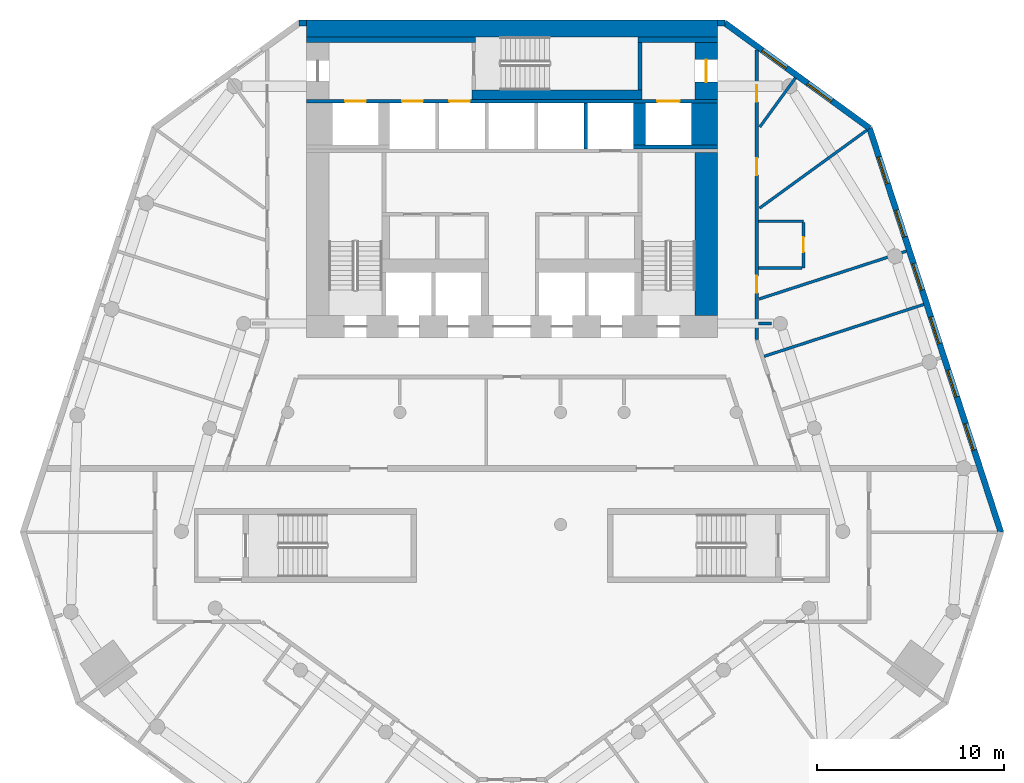
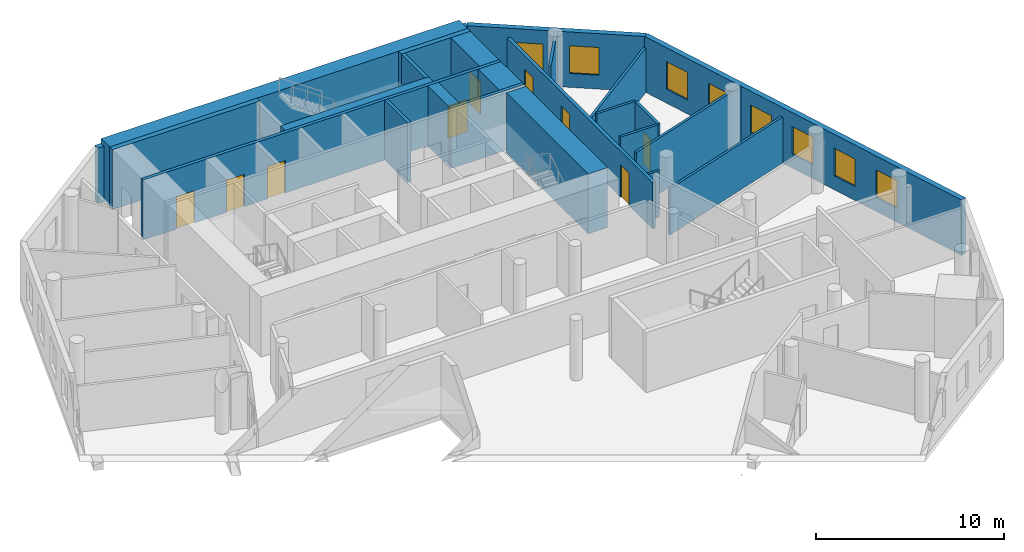
# One storey, part 6 of 9: 25 walls, 9 doors, 8 windows, 17 openings.
"""IFC4 building model written with IfcOpenShell, lengths in metres."""

from ifc_helpers import new_model, si_unit, direction, frame, frame_2d, origin, place, context, subcontext, project, spatial, rectangle, extrude, material, layer, layer_set, type_object, element, fill, save


model = new_model("IFC4")

# Units and contexts
model_context = context("Model", 3, precision=1e-05, world=origin(), true_north=direction((0.0, 1.0)))
body_context = subcontext(model_context, "Body", "Model", "MODEL_VIEW")
ifc_project = project(units=[si_unit("LENGTHUNIT", "METRE"), si_unit("AREAUNIT", "SQUARE_METRE"), si_unit("VOLUMEUNIT", "CUBIC_METRE"), si_unit("PLANEANGLEUNIT", "RADIAN"), si_unit("MASSUNIT", "GRAM", prefix="KILO")], contexts=[model_context])

# Site, building, storey
site_placement = place(None, origin())
site = spatial("IfcSite", under=ifc_project, at=site_placement, CompositionType="ELEMENT")
building_placement = place(site_placement, origin())
building = spatial("IfcBuilding", under=site, at=building_placement, Name="White Candle Pilgrim Tower", CompositionType="ELEMENT")
storey_placement = place(building_placement, frame((0.0, 0.0, 46.800048828125)))
storey = spatial("IfcBuildingStorey", under=building, at=storey_placement, Name="L08", CompositionType="ELEMENT", Elevation=46.800048828125)

# Wall, opening, door
ifc_material_1 = material(Name="Concrete C70/85", Category="concrete")
ifc_layer_1 = layer(ifc_material_1, 1.199951171875)
ifc_layer_set_1 = layer_set([ifc_layer_1], Name="Core wall 1200 mm Concrete C70/85")
wall_type_1 = type_object("IfcWallType", Name="Core wall 1200 mm Concrete C70/85", PredefinedType="SHEAR", material=ifc_layer_set_1)
wall_1_placement = place(storey_placement, frame((80.39990234375, 83.75, 0.0), z_axis=(0.0, 0.0, 1.0), x_axis=(0.0, 1.0, 0.0)))
wall_1 = element("IfcWall", 1, at=wall_1_placement, inside=storey, type_object=wall_type_1, Name="WL-L08-C46", PredefinedType="SHEAR", context=body_context, shape_type="SweptSolid", body=[
    extrude(rectangle(XDim=3.050048828125, YDim=1.199951171875, at=frame_2d((1.52490234375, 0.0))), origin(), (0.0, 0.0, 1.0), 3.89990234375),
])
opening_1_placement = place(wall_1_placement, frame((0.925048828125, 0.0, 0.0)))
opening_1 = element("IfcOpeningElement", 2, at=opening_1_placement, cuts=wall_1, Name="Opening T02-006", PredefinedType="OPENING", context=body_context, shape_type="SweptSolid", body=[
    extrude(rectangle(XDim=1.199951171875, YDim=2.10009765625, at=frame_2d((0.60009765625, 1.050048828125))), frame((0.0, 0.60986328125, 0.0), z_axis=(0.0, -1.0, 0.0), x_axis=(1.0, 0.0, 0.0)), (0.0, 0.0, 1.0), 1.219970703125),
])
ifc_material_2 = material(Name="Steel door leaf", Category="steel")
door_type_1 = type_object("IfcDoorType", Name="Fire door 1200 x 2100 EI 30", OperationType="NOTDEFINED", PredefinedType="DOOR", material=ifc_material_2)
door_1_placement = place(opening_1_placement, origin())
door_1 = element("IfcDoor", 3, at=door_1_placement, inside=storey, type_object=door_type_1, Name="Door T02-006", OperationType="SINGLE_SWING_RIGHT", OverallHeight=2.10009765625, OverallWidth=1.199951171875, PredefinedType="DOOR", context=body_context, shape_type="SweptSolid", body=[
    extrude(rectangle(XDim=1.199951171875, YDim=2.10009765625, at=frame_2d((0.60009765625, 1.050048828125))), frame((0.0, 0.02490234375, 0.0), z_axis=(0.0, -1.0, 0.0), x_axis=(1.0, 0.0, 0.0)), (0.0, 0.0, 1.0), 0.050048828125),
])
fill(opening_1, door_1)

# Walls
ifc_layer_2 = layer(ifc_material_1, 1.39990234375)
ifc_layer_set_2 = layer_set([ifc_layer_2], Name="Core wall 1400 mm Concrete C70/85")
wall_type_2 = type_object("IfcWallType", Name="Core wall 1400 mm Concrete C70/85", PredefinedType="SHEAR", material=ifc_layer_set_2)
wall_2_placement = place(storey_placement, frame((80.300048828125, 81.300048828125, 0.0), z_axis=(0.0, 0.0, 1.0), x_axis=(0.0, 1.0, 0.0)))
element("IfcWall", 4, at=wall_2_placement, inside=storey, type_object=wall_type_2, Name="WL-L08-C42", PredefinedType="SHEAR", context=body_context, shape_type="SweptSolid", body=[
    extrude(rectangle(XDim=2.25, YDim=1.39990234375, at=frame_2d((1.125, 0.0))), origin(), (0.0, 0.0, 1.0), 3.89990234375),
])
ifc_layer_3 = layer(ifc_material_1, 0.199951171875)
ifc_layer_set_3 = layer_set([ifc_layer_3], Name="Core wall 200 mm Concrete C70/85")
wall_type_3 = type_object("IfcWallType", Name="Core wall 200 mm Concrete C70/85", PredefinedType="SHEAR", material=ifc_layer_set_3)
wall_3_placement = place(storey_placement, frame((76.5, 81.199951171875, 0.0), z_axis=(0.0, 0.0, 1.0), x_axis=(1.0, 0.0, 0.0)))
element("IfcWall", 5, at=wall_3_placement, inside=storey, type_object=wall_type_3, Name="WL-L08-C38", PredefinedType="SHEAR", context=body_context, shape_type="SweptSolid", body=[
    extrude(rectangle(XDim=4.5, YDim=0.199951171875, at=frame_2d((2.25, 0.0))), origin(), (0.0, 0.0, 1.0), 3.89990234375),
])

# Wall, openings, doors
wall_4_placement = place(storey_placement, frame((59.0, 83.64990234375, 0.0), z_axis=(0.0, 0.0, 1.0), x_axis=(1.0, 0.0, 0.0)))
wall_4 = element("IfcWall", 6, at=wall_4_placement, inside=storey, type_object=wall_type_3, Name="WL-L08-C43", PredefinedType="SHEAR", context=body_context, shape_type="SweptSolid", body=[
    extrude(rectangle(XDim=22.0, YDim=0.199951171875, at=frame_2d((11.0, 0.0))), origin(), (0.0, 0.0, 1.0), 3.89990234375),
])
opening_2_placement = place(wall_4_placement, frame((5.125, 0.0, 0.0)))
opening_2 = element("IfcOpeningElement", 7, at=opening_2_placement, cuts=wall_4, Name="Opening T02-011", PredefinedType="OPENING", context=body_context, shape_type="SweptSolid", body=[
    extrude(rectangle(XDim=1.10009765625, YDim=2.10009765625, at=frame_2d((0.550048828125, 1.050048828125))), frame((0.0, 0.10986328125, 0.0), z_axis=(0.0, -1.0, 0.0), x_axis=(1.0, 0.0, 0.0)), (0.0, 0.0, 1.0), 0.219970703125),
])
opening_3_placement = place(wall_4_placement, frame((7.64990234375, 0.0, 0.0)))
opening_3 = element("IfcOpeningElement", 8, at=opening_3_placement, cuts=wall_4, Name="Opening T02-012", PredefinedType="OPENING", context=body_context, shape_type="SweptSolid", body=[
    extrude(rectangle(XDim=1.10009765625, YDim=2.10009765625, at=frame_2d((0.550048828125, 1.050048828125))), frame((0.0, 0.10986328125, 0.0), z_axis=(0.0, -1.0, 0.0), x_axis=(1.0, 0.0, 0.0)), (0.0, 0.0, 1.0), 0.219970703125),
])
opening_4_placement = place(wall_4_placement, frame((18.77490234375, 0.0, 0.0)))
opening_4 = element("IfcOpeningElement", 9, at=opening_4_placement, cuts=wall_4, Name="Opening T02-018", PredefinedType="OPENING", context=body_context, shape_type="SweptSolid", body=[
    extrude(rectangle(XDim=1.199951171875, YDim=2.10009765625, at=frame_2d((0.60009765625, 1.050048828125))), frame((0.0, 0.10986328125, 0.0), z_axis=(0.0, -1.0, 0.0), x_axis=(1.0, 0.0, 0.0)), (0.0, 0.0, 1.0), 0.219970703125),
])
opening_5_placement = place(wall_4_placement, frame((2.074951171875, 0.0, 0.0)))
opening_5 = element("IfcOpeningElement", 10, at=opening_5_placement, cuts=wall_4, Name="Opening T02-019", PredefinedType="OPENING", context=body_context, shape_type="SweptSolid", body=[
    extrude(rectangle(XDim=1.10009765625, YDim=2.10009765625, at=frame_2d((0.550048828125, 1.050048828125))), frame((0.0, 0.10986328125, 0.0), z_axis=(0.0, -1.0, 0.0), x_axis=(1.0, 0.0, 0.0)), (0.0, 0.0, 1.0), 0.219970703125),
])
ifc_material_3 = material(Name="Stainless steel", Category="steel")
door_type_2 = type_object("IfcDoorType", Name="Lift landing door 1100 x 2100 EI 60", OperationType="DOUBLE_DOOR_SLIDING", PredefinedType="DOOR", material=ifc_material_3)
door_2_placement = place(opening_2_placement, origin())
door_2 = element("IfcDoor", 11, at=door_2_placement, inside=storey, type_object=door_type_2, Name="Door T02-011", OperationType="DOUBLE_DOOR_SLIDING", OverallHeight=2.10009765625, OverallWidth=1.10009765625, PredefinedType="DOOR", context=body_context, shape_type="SweptSolid", body=[
    extrude(rectangle(XDim=1.10009765625, YDim=2.10009765625, at=frame_2d((0.550048828125, 1.050048828125))), frame((0.0, 0.02490234375, 0.0), z_axis=(0.0, -1.0, 0.0), x_axis=(1.0, 0.0, 0.0)), (0.0, 0.0, 1.0), 0.050048828125),
])
fill(opening_2, door_2)
door_3_placement = place(opening_3_placement, origin())
door_3 = element("IfcDoor", 12, at=door_3_placement, inside=storey, type_object=door_type_2, Name="Door T02-012", OperationType="DOUBLE_DOOR_SLIDING", OverallHeight=2.10009765625, OverallWidth=1.10009765625, PredefinedType="DOOR", context=body_context, shape_type="SweptSolid", body=[
    extrude(rectangle(XDim=1.10009765625, YDim=2.10009765625, at=frame_2d((0.550048828125, 1.050048828125))), frame((0.0, 0.02490234375, 0.0), z_axis=(0.0, -1.0, 0.0), x_axis=(1.0, 0.0, 0.0)), (0.0, 0.0, 1.0), 0.050048828125),
])
fill(opening_3, door_3)
door_4_placement = place(opening_5_placement, origin())
door_4 = element("IfcDoor", 13, at=door_4_placement, inside=storey, type_object=door_type_2, Name="Door T02-019", OperationType="DOUBLE_DOOR_SLIDING", OverallHeight=2.10009765625, OverallWidth=1.10009765625, PredefinedType="DOOR", context=body_context, shape_type="SweptSolid", body=[
    extrude(rectangle(XDim=1.10009765625, YDim=2.10009765625, at=frame_2d((0.550048828125, 1.050048828125))), frame((0.0, 0.02490234375, 0.0), z_axis=(0.0, -1.0, 0.0), x_axis=(1.0, 0.0, 0.0)), (0.0, 0.0, 1.0), 0.050048828125),
])
fill(opening_5, door_4)
door_type_3 = type_object("IfcDoorType", Name="Lift landing door 1200 x 2100 E 60", OperationType="DOUBLE_DOOR_SLIDING", PredefinedType="DOOR", material=ifc_material_3)
door_5_placement = place(opening_4_placement, origin())
door_5 = element("IfcDoor", 14, at=door_5_placement, inside=storey, type_object=door_type_3, Name="Door T02-018", OperationType="DOUBLE_DOOR_SLIDING", OverallHeight=2.10009765625, OverallWidth=1.199951171875, PredefinedType="DOOR", context=body_context, shape_type="SweptSolid", body=[
    extrude(rectangle(XDim=1.199951171875, YDim=2.10009765625, at=frame_2d((0.60009765625, 1.050048828125))), frame((0.0, 0.02490234375, 0.0), z_axis=(0.0, -1.0, 0.0), x_axis=(1.0, 0.0, 0.0)), (0.0, 0.0, 1.0), 0.050048828125),
])
fill(opening_4, door_5)

ifc_material_4 = material(Name="Gypsum board on steel studs", Category="steel")
ifc_layer_4 = layer(ifc_material_4, 0.199951171875)
ifc_layer_set_4 = layer_set([ifc_layer_4], Name="Corridor wall 200 mm EI 45")
wall_type_4 = type_object("IfcWallType", Name="Corridor wall 200 mm EI 45", PredefinedType="PARTITIONING", material=ifc_layer_set_4)
wall_5_placement = place(storey_placement, frame((83.10009765625, 86.396240234375, 0.0), z_axis=(0.0, 0.0, 1.0), x_axis=(0.0, -1.0, 0.0)))
wall_5 = element("IfcWall", 15, at=wall_5_placement, inside=storey, type_object=wall_type_4, Name="WL-L08-P004", PredefinedType="PARTITIONING", context=body_context, shape_type="SweptSolid", body=[
    extrude(rectangle(XDim=15.498779296875, YDim=0.199951171875, at=frame_2d((7.74951171875, 0.0))), origin(), (0.0, 0.0, 1.0), 3.0),
])
opening_6_placement = place(wall_5_placement, frame((1.874755859375, 0.0, 0.0)))
opening_6 = element("IfcOpeningElement", 16, at=opening_6_placement, cuts=wall_5, Name="Opening T02-127", PredefinedType="OPENING", context=body_context, shape_type="SweptSolid", body=[
    extrude(rectangle(XDim=0.89990234375, YDim=2.10009765625, at=frame_2d((0.449951171875, 1.050048828125))), frame((0.0, 0.10986328125, 0.0), z_axis=(0.0, -1.0, 0.0), x_axis=(1.0, 0.0, 0.0)), (0.0, 0.0, 1.0), 0.219970703125),
])
opening_7_placement = place(wall_5_placement, frame((5.79248046875, 0.0, 0.0)))
opening_7 = element("IfcOpeningElement", 17, at=opening_7_placement, cuts=wall_5, Name="Opening T02-128", PredefinedType="OPENING", context=body_context, shape_type="SweptSolid", body=[
    extrude(rectangle(XDim=0.89990234375, YDim=2.10009765625, at=frame_2d((0.449951171875, 1.050048828125))), frame((0.0, 0.10986328125, 0.0), z_axis=(0.0, -1.0, 0.0), x_axis=(1.0, 0.0, 0.0)), (0.0, 0.0, 1.0), 0.219970703125),
])
opening_8_placement = place(wall_5_placement, frame((12.094482421875, 0.0, 0.0)))
opening_8 = element("IfcOpeningElement", 18, at=opening_8_placement, cuts=wall_5, Name="Opening T02-129", PredefinedType="OPENING", context=body_context, shape_type="SweptSolid", body=[
    extrude(rectangle(XDim=0.89990234375, YDim=2.10009765625, at=frame_2d((0.449951171875, 1.050048828125))), frame((0.0, 0.10986328125, 0.0), z_axis=(0.0, -1.0, 0.0), x_axis=(1.0, 0.0, 0.0)), (0.0, 0.0, 1.0), 0.219970703125),
])
door_type_4 = type_object("IfcDoorType", Name="Fire door 900 x 2100 EI 30", OperationType="NOTDEFINED", PredefinedType="DOOR", material=ifc_material_2)
door_6_placement = place(opening_6_placement, origin())
door_6 = element("IfcDoor", 19, at=door_6_placement, inside=storey, type_object=door_type_4, Name="Door T02-127", OperationType="SINGLE_SWING_LEFT", OverallHeight=2.10009765625, OverallWidth=0.89990234375, PredefinedType="DOOR", context=body_context, shape_type="SweptSolid", body=[
    extrude(rectangle(XDim=0.89990234375, YDim=2.10009765625, at=frame_2d((0.449951171875, 1.050048828125))), frame((0.0, 0.02490234375, 0.0), z_axis=(0.0, -1.0, 0.0), x_axis=(1.0, 0.0, 0.0)), (0.0, 0.0, 1.0), 0.050048828125),
])
fill(opening_6, door_6)
door_7_placement = place(opening_7_placement, origin())
door_7 = element("IfcDoor", 20, at=door_7_placement, inside=storey, type_object=door_type_4, Name="Door T02-128", OperationType="SINGLE_SWING_RIGHT", OverallHeight=2.10009765625, OverallWidth=0.89990234375, PredefinedType="DOOR", context=body_context, shape_type="SweptSolid", body=[
    extrude(rectangle(XDim=0.89990234375, YDim=2.10009765625, at=frame_2d((0.449951171875, 1.050048828125))), frame((0.0, 0.02490234375, 0.0), z_axis=(0.0, -1.0, 0.0), x_axis=(1.0, 0.0, 0.0)), (0.0, 0.0, 1.0), 0.050048828125),
])
fill(opening_7, door_7)
door_8_placement = place(opening_8_placement, origin())
door_8 = element("IfcDoor", 21, at=door_8_placement, inside=storey, type_object=door_type_4, Name="Door T02-129", OperationType="SINGLE_SWING_LEFT", OverallHeight=2.10009765625, OverallWidth=0.89990234375, PredefinedType="DOOR", context=body_context, shape_type="SweptSolid", body=[
    extrude(rectangle(XDim=0.89990234375, YDim=2.10009765625, at=frame_2d((0.449951171875, 1.050048828125))), frame((0.0, 0.02490234375, 0.0), z_axis=(0.0, -1.0, 0.0), x_axis=(1.0, 0.0, 0.0)), (0.0, 0.0, 1.0), 0.050048828125),
])
fill(opening_8, door_8)

# Wall, openings, windows
ifc_material_5 = material(Name="Precast concrete C40/50", Category="concrete")
ifc_layer_5 = layer(ifc_material_5, 0.320068359375)
ifc_layer_set_5 = layer_set([ifc_layer_5], Name="Facade wall EW1 precast concrete C40/50 pier wall with timber-lined reveals")
wall_type_5 = type_object("IfcWallType", Name="Facade wall EW1 precast concrete C40/50 pier wall with timber-lined reveals", PredefinedType="SOLIDWALL", material=ifc_layer_set_5)
wall_6_placement = place(storey_placement, frame((96.1591796875, 60.59130859375, 0.0), z_axis=(0.0, 0.0, 1.0), x_axis=(-0.309017098694, 0.9510564824, 0.0)))
wall_6 = element("IfcWall", 22, at=wall_6_placement, inside=storey, type_object=wall_type_5, Name="Facade wall L08 ENE", PredefinedType="SOLIDWALL", context=body_context, shape_type="SweptSolid", body=[
    extrude(rectangle(XDim=22.730712890625, YDim=0.320068359375, at=frame_2d((11.365234375, 0.0))), origin(), (0.0, 0.0, 1.0), 3.599853515625),
])
opening_9_placement = place(wall_6_placement, frame((4.615478515625, 0.0, 0.89990234375)))
opening_9 = element("IfcOpeningElement", 23, at=opening_9_placement, cuts=wall_6, Name="Opening W1", PredefinedType="OPENING", context=body_context, shape_type="SweptSolid", body=[
    extrude(rectangle(XDim=1.5, YDim=1.800048828125, at=frame_2d((0.75, 0.89990234375))), frame((0.0, 0.169921875, 0.0), z_axis=(0.0, -1.0, 0.0), x_axis=(1.0, 0.0, 0.0)), (0.0, 0.0, 1.0), 0.340087890625),
])
opening_10_placement = place(wall_6_placement, frame((7.615478515625, 0.0, 0.89990234375)))
opening_10 = element("IfcOpeningElement", 24, at=opening_10_placement, cuts=wall_6, Name="Opening W1", PredefinedType="OPENING", context=body_context, shape_type="SweptSolid", body=[
    extrude(rectangle(XDim=1.5, YDim=1.800048828125, at=frame_2d((0.75, 0.89990234375))), frame((0.0, 0.169921875, 0.0), z_axis=(0.0, -1.0, 0.0), x_axis=(1.0, 0.0, 0.0)), (0.0, 0.0, 1.0), 0.340087890625),
])
opening_11_placement = place(wall_6_placement, frame((10.615478515625, 0.0, 0.89990234375)))
opening_11 = element("IfcOpeningElement", 25, at=opening_11_placement, cuts=wall_6, Name="Opening W1", PredefinedType="OPENING", context=body_context, shape_type="SweptSolid", body=[
    extrude(rectangle(XDim=1.5, YDim=1.800048828125, at=frame_2d((0.75, 0.89990234375))), frame((0.0, 0.169921875, 0.0), z_axis=(0.0, -1.0, 0.0), x_axis=(1.0, 0.0, 0.0)), (0.0, 0.0, 1.0), 0.340087890625),
])
opening_12_placement = place(wall_6_placement, frame((13.615478515625, 0.0, 0.89990234375)))
opening_12 = element("IfcOpeningElement", 26, at=opening_12_placement, cuts=wall_6, Name="Opening W1", PredefinedType="OPENING", context=body_context, shape_type="SweptSolid", body=[
    extrude(rectangle(XDim=1.5, YDim=1.800048828125, at=frame_2d((0.75, 0.89990234375))), frame((0.0, 0.169921875, 0.0), z_axis=(0.0, -1.0, 0.0), x_axis=(1.0, 0.0, 0.0)), (0.0, 0.0, 1.0), 0.340087890625),
])
opening_13_placement = place(wall_6_placement, frame((16.615478515625, 0.0, 0.89990234375)))
opening_13 = element("IfcOpeningElement", 27, at=opening_13_placement, cuts=wall_6, Name="Opening W1", PredefinedType="OPENING", context=body_context, shape_type="SweptSolid", body=[
    extrude(rectangle(XDim=1.5, YDim=1.800048828125, at=frame_2d((0.75, 0.89990234375))), frame((0.0, 0.169921875, 0.0), z_axis=(0.0, -1.0, 0.0), x_axis=(1.0, 0.0, 0.0)), (0.0, 0.0, 1.0), 0.340087890625),
])
opening_14_placement = place(wall_6_placement, frame((19.615478515625, 0.0, 0.89990234375)))
opening_14 = element("IfcOpeningElement", 28, at=opening_14_placement, cuts=wall_6, Name="Opening W1", PredefinedType="OPENING", context=body_context, shape_type="SweptSolid", body=[
    extrude(rectangle(XDim=1.5, YDim=1.800048828125, at=frame_2d((0.75, 0.89990234375))), frame((0.0, 0.169921875, 0.0), z_axis=(0.0, -1.0, 0.0), x_axis=(1.0, 0.0, 0.0)), (0.0, 0.0, 1.0), 0.340087890625),
])
ifc_material_6 = material(Name="Timber frame with triple glazing", Category="wood")
window_type_1 = type_object("IfcWindowType", Name="Window W1 1500x1800 timber frame triple glazing", PartitioningType="SINGLE_PANEL", PredefinedType="WINDOW", material=ifc_material_6)
window_1_placement = place(opening_9_placement, origin())
window_1 = element("IfcWindow", 29, at=window_1_placement, inside=storey, type_object=window_type_1, Name="Window W1 L08 ENE 2", OverallHeight=1.800048828125, OverallWidth=1.5, PartitioningType="SINGLE_PANEL", PredefinedType="WINDOW", context=body_context, shape_type="SweptSolid", body=[
    extrude(rectangle(XDim=1.5, YDim=1.800048828125, at=frame_2d((0.75, 0.89990234375))), frame((0.0, 0.070068359375, 0.0), z_axis=(0.0, -1.0, 0.0), x_axis=(1.0, 0.0, 0.0)), (0.0, 0.0, 1.0), 0.06005859375),
])
fill(opening_9, window_1)
window_2_placement = place(opening_10_placement, origin())
window_2 = element("IfcWindow", 30, at=window_2_placement, inside=storey, type_object=window_type_1, Name="Window W1 L08 ENE 3", OverallHeight=1.800048828125, OverallWidth=1.5, PartitioningType="SINGLE_PANEL", PredefinedType="WINDOW", context=body_context, shape_type="SweptSolid", body=[
    extrude(rectangle(XDim=1.5, YDim=1.800048828125, at=frame_2d((0.75, 0.89990234375))), frame((0.0, 0.070068359375, 0.0), z_axis=(0.0, -1.0, 0.0), x_axis=(1.0, 0.0, 0.0)), (0.0, 0.0, 1.0), 0.06005859375),
])
fill(opening_10, window_2)
window_3_placement = place(opening_11_placement, origin())
window_3 = element("IfcWindow", 31, at=window_3_placement, inside=storey, type_object=window_type_1, Name="Window W1 L08 ENE 4", OverallHeight=1.800048828125, OverallWidth=1.5, PartitioningType="SINGLE_PANEL", PredefinedType="WINDOW", context=body_context, shape_type="SweptSolid", body=[
    extrude(rectangle(XDim=1.5, YDim=1.800048828125, at=frame_2d((0.75, 0.89990234375))), frame((0.0, 0.070068359375, 0.0), z_axis=(0.0, -1.0, 0.0), x_axis=(1.0, 0.0, 0.0)), (0.0, 0.0, 1.0), 0.06005859375),
])
fill(opening_11, window_3)
window_4_placement = place(opening_12_placement, origin())
window_4 = element("IfcWindow", 32, at=window_4_placement, inside=storey, type_object=window_type_1, Name="Window W1 L08 ENE 5", OverallHeight=1.800048828125, OverallWidth=1.5, PartitioningType="SINGLE_PANEL", PredefinedType="WINDOW", context=body_context, shape_type="SweptSolid", body=[
    extrude(rectangle(XDim=1.5, YDim=1.800048828125, at=frame_2d((0.75, 0.89990234375))), frame((0.0, 0.070068359375, 0.0), z_axis=(0.0, -1.0, 0.0), x_axis=(1.0, 0.0, 0.0)), (0.0, 0.0, 1.0), 0.06005859375),
])
fill(opening_12, window_4)
window_5_placement = place(opening_13_placement, origin())
window_5 = element("IfcWindow", 33, at=window_5_placement, inside=storey, type_object=window_type_1, Name="Window W1 L08 ENE 6", OverallHeight=1.800048828125, OverallWidth=1.5, PartitioningType="SINGLE_PANEL", PredefinedType="WINDOW", context=body_context, shape_type="SweptSolid", body=[
    extrude(rectangle(XDim=1.5, YDim=1.800048828125, at=frame_2d((0.75, 0.89990234375))), frame((0.0, 0.070068359375, 0.0), z_axis=(0.0, -1.0, 0.0), x_axis=(1.0, 0.0, 0.0)), (0.0, 0.0, 1.0), 0.06005859375),
])
fill(opening_13, window_5)
window_6_placement = place(opening_14_placement, origin())
window_6 = element("IfcWindow", 34, at=window_6_placement, inside=storey, type_object=window_type_1, Name="Window W1 L08 ENE 7", OverallHeight=1.800048828125, OverallWidth=1.5, PartitioningType="SINGLE_PANEL", PredefinedType="WINDOW", context=body_context, shape_type="SweptSolid", body=[
    extrude(rectangle(XDim=1.5, YDim=1.800048828125, at=frame_2d((0.75, 0.89990234375))), frame((0.0, 0.070068359375, 0.0), z_axis=(0.0, -1.0, 0.0), x_axis=(1.0, 0.0, 0.0)), (0.0, 0.0, 1.0), 0.06005859375),
])
fill(opening_14, window_6)

wall_7_placement = place(storey_placement, frame((89.135009765625, 82.20947265625, 0.0), z_axis=(0.0, 0.0, 1.0), x_axis=(-0.809021430096, 0.587779146998, 0.0)))
wall_7 = element("IfcWall", 35, at=wall_7_placement, inside=storey, type_object=wall_type_5, Name="Facade wall L08 NE chamfer", PredefinedType="SOLIDWALL", context=body_context, shape_type="SweptSolid", body=[
    extrude(rectangle(XDim=9.57958984375, YDim=0.320068359375, at=frame_2d((4.789794921875, 0.0))), origin(), (0.0, 0.0, 1.0), 3.599853515625),
])
opening_15_placement = place(wall_7_placement, frame((2.48974609375, 0.0, 0.89990234375)))
opening_15 = element("IfcOpeningElement", 36, at=opening_15_placement, cuts=wall_7, Name="Opening W2", PredefinedType="OPENING", context=body_context, shape_type="SweptSolid", body=[
    extrude(rectangle(XDim=1.60009765625, YDim=1.800048828125, at=frame_2d((0.800048828125, 0.89990234375))), frame((0.0, 0.169921875, 0.0), z_axis=(0.0, -1.0, 0.0), x_axis=(1.0, 0.0, 0.0)), (0.0, 0.0, 1.0), 0.340087890625),
])
opening_16_placement = place(wall_7_placement, frame((5.48974609375, 0.0, 0.89990234375)))
opening_16 = element("IfcOpeningElement", 37, at=opening_16_placement, cuts=wall_7, Name="Opening W2", PredefinedType="OPENING", context=body_context, shape_type="SweptSolid", body=[
    extrude(rectangle(XDim=1.60009765625, YDim=1.800048828125, at=frame_2d((0.800048828125, 0.89990234375))), frame((0.0, 0.169921875, 0.0), z_axis=(0.0, -1.0, 0.0), x_axis=(1.0, 0.0, 0.0)), (0.0, 0.0, 1.0), 0.340087890625),
])
window_type_2 = type_object("IfcWindowType", Name="Window W2 1600x1800 timber frame triple glazing", PartitioningType="SINGLE_PANEL", PredefinedType="WINDOW", material=ifc_material_6)
window_7_placement = place(opening_15_placement, origin())
window_7 = element("IfcWindow", 38, at=window_7_placement, inside=storey, type_object=window_type_2, Name="Window W2 L08 NE chamfer 1", OverallHeight=1.800048828125, OverallWidth=1.60009765625, PartitioningType="SINGLE_PANEL", PredefinedType="WINDOW", context=body_context, shape_type="SweptSolid", body=[
    extrude(rectangle(XDim=1.60009765625, YDim=1.800048828125, at=frame_2d((0.800048828125, 0.89990234375))), frame((0.0, 0.070068359375, 0.0), z_axis=(0.0, -1.0, 0.0), x_axis=(1.0, 0.0, 0.0)), (0.0, 0.0, 1.0), 0.06005859375),
])
fill(opening_15, window_7)
window_8_placement = place(opening_16_placement, origin())
window_8 = element("IfcWindow", 39, at=window_8_placement, inside=storey, type_object=window_type_2, Name="Window W2 L08 NE chamfer 2", OverallHeight=1.800048828125, OverallWidth=1.60009765625, PartitioningType="SINGLE_PANEL", PredefinedType="WINDOW", context=body_context, shape_type="SweptSolid", body=[
    extrude(rectangle(XDim=1.60009765625, YDim=1.800048828125, at=frame_2d((0.800048828125, 0.89990234375))), frame((0.0, 0.070068359375, 0.0), z_axis=(0.0, -1.0, 0.0), x_axis=(1.0, 0.0, 0.0)), (0.0, 0.0, 1.0), 0.06005859375),
])
fill(opening_16, window_8)

# Walls
for number, where, z_axis, x_axis, name in (
    (40, (81.385009765625, 87.840087890625, 0.0), (0.0, 0.0, 1.0), (-1.0, 0.0, 0.0), "Facade wall L08 N"),
    (41, (59.0, 87.840087890625, 0.0), (0.0, 0.0, 1.0), (-1.0, 0.0, 0.0), "Facade wall L08 N"),
):
    element("IfcWall", number, at=place(storey_placement, frame(where, z_axis=z_axis, x_axis=x_axis)), inside=storey, type_object=wall_type_5, Name=name, PredefinedType="SOLIDWALL", context=body_context, shape_type="SweptSolid", body=[
        extrude(rectangle(XDim=0.385009765625, YDim=0.320068359375, at=frame_2d((0.1923828125, 0.0))), origin(), (0.0, 0.0, 1.0), 3.599853515625),
    ])
ifc_layer_6 = layer(ifc_material_4, 0.14990234375)
ifc_layer_set_6 = layer_set([ifc_layer_6], Name="Partition 150 mm EI 60")
wall_type_6 = type_object("IfcWallType", Name="Partition 150 mm EI 60", PredefinedType="PARTITIONING", material=ifc_layer_set_6)
wall_8_placement = place(storey_placement, frame((88.998779296875, 82.110595703125, 0.0), z_axis=(0.0, 0.0, 1.0), x_axis=(-0.809006123185, -0.587800214911, 0.0)))
element("IfcWall", 42, at=wall_8_placement, inside=storey, type_object=wall_type_6, Name="WL-L08-P023", PredefinedType="PARTITIONING", context=body_context, shape_type="SweptSolid", body=[
    extrude(rectangle(XDim=7.11328125, YDim=0.14990234375, at=frame_2d((3.556640625, 0.0))), origin(), (0.0, 0.0, 1.0), 2.89990234375),
])
wall_9_placement = place(storey_placement, frame((92.03125, 72.777587890625, 0.0), z_axis=(0.0, 0.0, 1.0), x_axis=(-0.951051249243, -0.309033204224, 0.0)))
element("IfcWall", 43, at=wall_9_placement, inside=storey, type_object=wall_type_6, Name="WL-L08-P042", PredefinedType="PARTITIONING", context=body_context, shape_type="SweptSolid", body=[
    extrude(rectangle(XDim=8.97998046875, YDim=0.14990234375, at=frame_2d((4.489990234375, 0.0))), origin(), (0.0, 0.0, 1.0), 3.0),
])
wall_10_placement = place(storey_placement, frame((91.104248046875, 75.630615234375, 0.0), z_axis=(0.0, 0.0, 1.0), x_axis=(-0.95105420195, -0.309024117105, 0.0)))
element("IfcWall", 44, at=wall_10_placement, inside=storey, type_object=wall_type_6, Name="WL-L08-P043", PredefinedType="PARTITIONING", context=body_context, shape_type="SweptSolid", body=[
    extrude(rectangle(XDim=8.28662109375, YDim=0.14990234375, at=frame_2d((4.143310546875, 0.0))), origin(), (0.0, 0.0, 1.0), 3.599853515625),
])
wall_11_placement = place(storey_placement, frame((83.199951171875, 77.22998046875, 0.0), z_axis=(0.0, 0.0, 1.0), x_axis=(1.0, 0.0, 0.0)))
element("IfcWall", 45, at=wall_11_placement, inside=storey, type_object=wall_type_6, Name="WL-L08-P044", PredefinedType="PARTITIONING", context=body_context, shape_type="SweptSolid", body=[
    extrude(rectangle(XDim=2.400146484375, YDim=0.14990234375, at=frame_2d((1.2001953125, 0.0))), origin(), (0.0, 0.0, 1.0), 3.599853515625),
])

# Wall, opening, door
wall_12_placement = place(storey_placement, frame((85.60009765625, 74.72998046875, 0.0), z_axis=(0.0, 0.0, 1.0), x_axis=(0.0, 1.0, 0.0)))
wall_12 = element("IfcWall", 46, at=wall_12_placement, inside=storey, type_object=wall_type_6, Name="WL-L08-P045", PredefinedType="PARTITIONING", context=body_context, shape_type="SweptSolid", body=[
    extrude(rectangle(XDim=2.4248046875, YDim=0.14990234375, at=frame_2d((1.21240234375, 0.0))), origin(), (0.0, 0.0, 1.0), 3.599853515625),
])
opening_17_placement = place(wall_12_placement, frame((0.85009765625, 0.0, 0.0)))
opening_17 = element("IfcOpeningElement", 47, at=opening_17_placement, cuts=wall_12, Name="Opening T02-116", PredefinedType="OPENING", context=body_context, shape_type="SweptSolid", body=[
    extrude(rectangle(XDim=0.800048828125, YDim=2.10009765625, at=frame_2d((0.39990234375, 1.050048828125))), frame((0.0, 0.0849609375, 0.0), z_axis=(0.0, -1.0, 0.0), x_axis=(1.0, 0.0, 0.0)), (0.0, 0.0, 1.0), 0.169921875),
])
door_type_5 = type_object("IfcDoorType", Name="Fire door 800 x 2100 EI 30", OperationType="NOTDEFINED", PredefinedType="DOOR", material=ifc_material_2)
door_9_placement = place(opening_17_placement, frame((0.800048828125, 0.0, 0.0), z_axis=(0.0, 0.0, 1.0), x_axis=(-1.0, 0.0, 0.0)))
door_9 = element("IfcDoor", 48, at=door_9_placement, inside=storey, type_object=door_type_5, Name="Door T02-116", OperationType="SINGLE_SWING_LEFT", OverallHeight=2.10009765625, OverallWidth=0.800048828125, PredefinedType="DOOR", context=body_context, shape_type="SweptSolid", body=[
    extrude(rectangle(XDim=0.800048828125, YDim=2.10009765625, at=frame_2d((0.39990234375, 1.050048828125))), frame((0.0, 0.02490234375, 0.0), z_axis=(0.0, -1.0, 0.0), x_axis=(1.0, 0.0, 0.0)), (0.0, 0.0, 1.0), 0.050048828125),
])
fill(opening_17, door_9)

# Walls
wall_13_placement = place(storey_placement, frame((83.199951171875, 74.72998046875, 0.0), z_axis=(0.0, 0.0, 1.0), x_axis=(1.0, 0.0, 0.0)))
element("IfcWall", 49, at=wall_13_placement, inside=storey, type_object=wall_type_6, Name="WL-L08-P046", PredefinedType="PARTITIONING", context=body_context, shape_type="SweptSolid", body=[
    extrude(rectangle(XDim=2.324951171875, YDim=0.14990234375, at=frame_2d((1.16259765625, 0.0))), origin(), (0.0, 0.0, 1.0), 3.599853515625),
])
wall_14_placement = place(storey_placement, frame((85.166015625, 84.895263671875, 0.0), z_axis=(0.0, 0.0, 1.0), x_axis=(-0.587795442354, -0.809009590764, 0.0)))
element("IfcWall", 50, at=wall_14_placement, inside=storey, type_object=wall_type_6, Name="WL-L08-P047", PredefinedType="PARTITIONING", context=body_context, shape_type="SweptSolid", body=[
    extrude(rectangle(XDim=3.241455078125, YDim=0.14990234375, at=frame_2d((1.62060546875, 0.0))), origin(), (0.0, 0.0, 1.0), 3.599853515625),
])
wall_15_placement = place(storey_placement, frame((83.89501953125, 71.7578125, 0.0), z_axis=(0.0, 0.0, 1.0), x_axis=(-1.0, 0.0, 0.0)))
element("IfcWall", 51, at=wall_15_placement, inside=storey, type_object=wall_type_6, Name="WL-L08-P055", PredefinedType="PARTITIONING", context=body_context, shape_type="SweptSolid", body=[
    extrude(rectangle(XDim=0.695068359375, YDim=0.14990234375, at=frame_2d((0.34765625, 0.0))), origin(), (0.0, 0.0, 1.0), 3.0),
])
ifc_layer_7 = layer(ifc_material_1, 0.199951171875)
ifc_layer_set_7 = layer_set([ifc_layer_7], Name="Shaft wall 200 mm Concrete C70/85")
wall_type_7 = type_object("IfcWallType", Name="Shaft wall 200 mm Concrete C70/85", PredefinedType="SHEAR", material=ifc_layer_set_7)
wall_16_placement = place(storey_placement, frame((73.949951171875, 81.10009765625, 0.0), z_axis=(0.0, 0.0, 1.0), x_axis=(0.0, 1.0, 0.0)))
element("IfcWall", 52, at=wall_16_placement, inside=storey, type_object=wall_type_7, Name="WL-L08-C37", PredefinedType="SHEAR", context=body_context, shape_type="SweptSolid", body=[
    extrude(rectangle(XDim=2.449951171875, YDim=0.199951171875, at=frame_2d((1.22509765625, 0.0))), origin(), (0.0, 0.0, 1.0), 3.89990234375),
])
ifc_layer_8 = layer(ifc_material_1, 0.64990234375)
ifc_layer_set_8 = layer_set([ifc_layer_8], Name="Shaft wall 650 mm Concrete C70/85")
wall_type_8 = type_object("IfcWallType", Name="Shaft wall 650 mm Concrete C70/85", PredefinedType="SHEAR", material=ifc_layer_set_8)
wall_17_placement = place(storey_placement, frame((76.824951171875, 81.300048828125, 0.0), z_axis=(0.0, 0.0, 1.0), x_axis=(0.0, 1.0, 0.0)))
element("IfcWall", 53, at=wall_17_placement, inside=storey, type_object=wall_type_8, Name="WL-L08-C41", PredefinedType="SHEAR", context=body_context, shape_type="SweptSolid", body=[
    extrude(rectangle(XDim=2.25, YDim=0.64990234375, at=frame_2d((1.125, 0.0))), origin(), (0.0, 0.0, 1.0), 3.89990234375),
])
ifc_layer_9 = layer(ifc_material_1, 1.199951171875)
ifc_layer_set_9 = layer_set([ifc_layer_9], Name="Stair shaft wall 1200 mm Concrete C70/85")
wall_type_9 = type_object("IfcWallType", Name="Stair shaft wall 1200 mm Concrete C70/85", PredefinedType="SHEAR", material=ifc_layer_set_9)
wall_18_placement = place(storey_placement, frame((80.39990234375, 72.199951171875, 0.0), z_axis=(0.0, 0.0, 1.0), x_axis=(0.0, 1.0, 0.0)))
element("IfcWall", 54, at=wall_18_placement, inside=storey, type_object=wall_type_9, Name="WL-L08-C19", PredefinedType="SHEAR", context=body_context, shape_type="SweptSolid", body=[
    extrude(rectangle(XDim=8.699951171875, YDim=1.199951171875, at=frame_2d((4.35009765625, 0.0))), origin(), (0.0, 0.0, 1.0), 3.89990234375),
])
ifc_layer_10 = layer(ifc_material_1, 0.199951171875)
ifc_layer_set_10 = layer_set([ifc_layer_10], Name="Stair shaft wall 200 mm Concrete C70/85")
wall_type_10 = type_object("IfcWallType", Name="Stair shaft wall 200 mm Concrete C70/85", PredefinedType="SHEAR", material=ifc_layer_set_10)
wall_19_placement = place(storey_placement, frame((76.85009765625, 84.25, 0.0), z_axis=(0.0, 0.0, 1.0), x_axis=(0.0, 1.0, 0.0)))
element("IfcWall", 55, at=wall_19_placement, inside=storey, type_object=wall_type_10, Name="WL-L08-C48", PredefinedType="SHEAR", context=body_context, shape_type="SweptSolid", body=[
    extrude(rectangle(XDim=2.550048828125, YDim=0.199951171875, at=frame_2d((1.27490234375, 0.0))), origin(), (0.0, 0.0, 1.0), 3.89990234375),
])
ifc_layer_11 = layer(ifc_material_1, 0.300048828125)
ifc_layer_set_11 = layer_set([ifc_layer_11], Name="Stair shaft wall 300 mm Concrete C70/85")
wall_type_11 = type_object("IfcWallType", Name="Stair shaft wall 300 mm Concrete C70/85", PredefinedType="SHEAR", material=ifc_layer_set_11)
wall_20_placement = place(storey_placement, frame((59.0, 86.949951171875, 0.0), z_axis=(0.0, 0.0, 1.0), x_axis=(1.0, 0.0, 0.0)))
element("IfcWall", 56, at=wall_20_placement, inside=storey, type_object=wall_type_11, Name="WL-L08-C49", PredefinedType="SHEAR", context=body_context, shape_type="SweptSolid", body=[
    extrude(rectangle(XDim=9.050048828125, YDim=0.300048828125, at=frame_2d((4.52490234375, 0.0))), origin(), (0.0, 0.0, 1.0), 3.89990234375),
])
wall_21_placement = place(storey_placement, frame((76.75, 86.949951171875, 0.0), z_axis=(0.0, 0.0, 1.0), x_axis=(1.0, 0.0, 0.0)))
element("IfcWall", 57, at=wall_21_placement, inside=storey, type_object=wall_type_11, Name="WL-L08-C50", PredefinedType="SHEAR", context=body_context, shape_type="SweptSolid", body=[
    extrude(rectangle(XDim=4.25, YDim=0.300048828125, at=frame_2d((2.125, 0.0))), origin(), (0.0, 0.0, 1.0), 3.89990234375),
])
ifc_layer_12 = layer(ifc_material_1, 0.5)
ifc_layer_set_12 = layer_set([ifc_layer_12], Name="Stair shaft wall 500 mm Concrete C70/85")
wall_type_12 = type_object("IfcWallType", Name="Stair shaft wall 500 mm Concrete C70/85", PredefinedType="SHEAR", material=ifc_layer_set_12)
wall_22_placement = place(storey_placement, frame((67.85009765625, 84.0, 0.0), z_axis=(0.0, 0.0, 1.0), x_axis=(1.0, 0.0, 0.0)))
element("IfcWall", 58, at=wall_22_placement, inside=storey, type_object=wall_type_12, Name="WL-L08-C45", PredefinedType="SHEAR", context=body_context, shape_type="SweptSolid", body=[
    extrude(rectangle(XDim=9.099853515625, YDim=0.5, at=frame_2d((4.5498046875, 0.0))), origin(), (0.0, 0.0, 1.0), 3.89990234375),
])
ifc_layer_13 = layer(ifc_material_1, 0.89990234375)
ifc_layer_set_13 = layer_set([ifc_layer_13], Name="Stair shaft wall 900 mm Concrete C70/85")
wall_type_13 = type_object("IfcWallType", Name="Stair shaft wall 900 mm Concrete C70/85", PredefinedType="SHEAR", material=ifc_layer_set_13)
wall_23_placement = place(storey_placement, frame((59.0, 87.550048828125, 0.0), z_axis=(0.0, 0.0, 1.0), x_axis=(1.0, 0.0, 0.0)))
element("IfcWall", 59, at=wall_23_placement, inside=storey, type_object=wall_type_13, Name="WL-L08-C51", PredefinedType="SHEAR", context=body_context, shape_type="SweptSolid", body=[
    extrude(rectangle(XDim=22.0, YDim=0.89990234375, at=frame_2d((11.0, 0.0))), origin(), (0.0, 0.0, 1.0), 3.89990234375),
])

save(model, "model.ifc")
